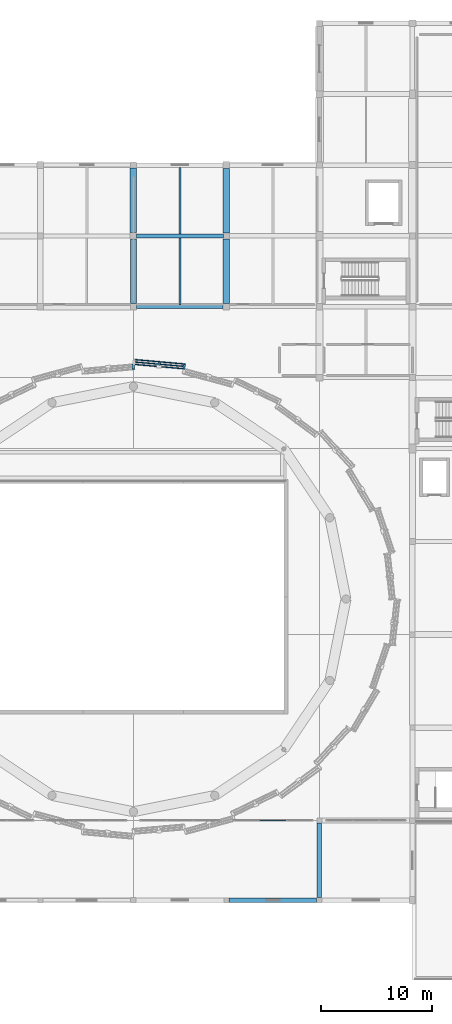
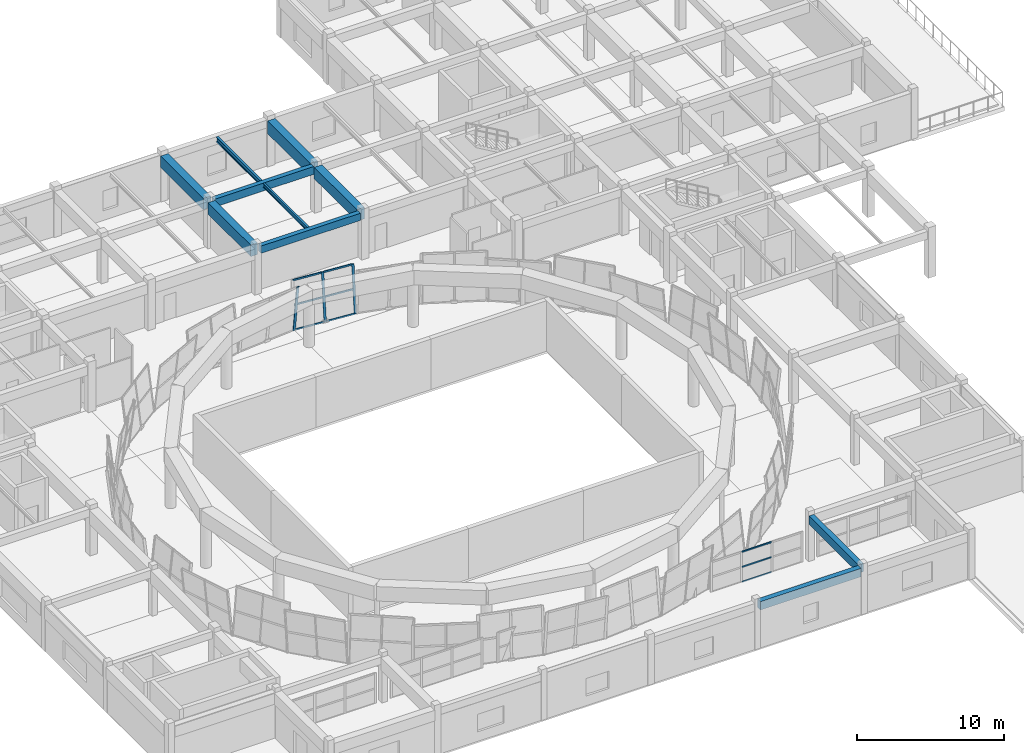
# One storey, part 17 of 40: 12 members, 10 beams, 3 elements without a shape of their own.
"""IFC4 building model written with IfcOpenShell, lengths in metres."""

from ifc_helpers import new_model, si_unit, direction, frame, origin, origin_2d, place, context, subcontext, project, spatial, rectangle, hollow_rectangle, i_section, extrude, material, material_profile, profile_set, type_object, element, aggregate, save


model = new_model("IFC4")

# Units and contexts
model_context = context("Model", 3, precision=1e-05, world=origin(), true_north=direction((0.0, 1.0)))
body_context = subcontext(model_context, "Body", "Model", "MODEL_VIEW")
ifc_project = project(units=[si_unit("LENGTHUNIT", "METRE"), si_unit("AREAUNIT", "SQUARE_METRE"), si_unit("VOLUMEUNIT", "CUBIC_METRE"), si_unit("PLANEANGLEUNIT", "RADIAN"), si_unit("MASSUNIT", "GRAM", prefix="KILO")], contexts=[model_context])

# Site, building, storey
site_placement = place(None, origin())
site = spatial("IfcSite", under=ifc_project, at=site_placement, CompositionType="ELEMENT")
building_placement = place(site_placement, origin())
building = spatial("IfcBuilding", under=site, at=building_placement, Name="Korsvaeld Concert Hall", CompositionType="ELEMENT")
storey_placement = place(building_placement, frame((0.0, 0.0, 13.199951171875)))
storey = spatial("IfcBuildingStorey", under=building, at=storey_placement, Name="L03", CompositionType="ELEMENT", Elevation=13.199951171875)

# Beams
ifc_material_1 = material(Name="Concrete C35/45", Category="concrete")
ifc_material_profile_1 = material_profile(ifc_material_1, rectangle(XDim=0.35009765625, YDim=0.60009765625, at=origin_2d()), Name="RC 350x600")
ifc_profile_set_1 = profile_set([ifc_material_profile_1], Name="Concrete C35/45")
beam_type_1 = type_object("IfcBeamType", Name="BM-RC-350x600", PredefinedType="T_BEAM", material=ifc_profile_set_1)
beam_1_placement = place(storey_placement, frame((84.27490234375, 89.60009765625, 3.5400390625), z_axis=(1.0, 0.0, 0.0), x_axis=(0.0, 1.0, 0.0)))
element("IfcBeam", 1, at=beam_1_placement, inside=storey, type_object=beam_type_1, Name="Primary girder 12-13/N L03", PredefinedType="T_BEAM", context=body_context, shape_type="SweptSolid", body=[
    extrude(rectangle(XDim=0.35009765625, YDim=0.60009765625, at=origin_2d()), origin(), (0.0, 0.0, 1.0), 7.8251953125),
])
ifc_material_profile_2 = material_profile(ifc_material_1, rectangle(XDim=0.35009765625, YDim=0.64990234375, at=origin_2d()), Name="RC 350x650")
ifc_profile_set_2 = profile_set([ifc_material_profile_2], Name="Concrete C35/45")
beam_type_2 = type_object("IfcBeamType", Name="BM-RC-350x650", PredefinedType="T_BEAM", material=ifc_profile_set_2)
beam_2_placement = place(storey_placement, frame((84.300048828125, 96.0, 3.51513671875), z_axis=(1.0, 0.0, 0.0), x_axis=(0.0, 1.0, 0.0)))
element("IfcBeam", 2, at=beam_2_placement, inside=storey, type_object=beam_type_2, Name="Primary girder 12-13/P L03", PredefinedType="T_BEAM", context=body_context, shape_type="SweptSolid", body=[
    extrude(rectangle(XDim=0.35009765625, YDim=0.64990234375, at=origin_2d()), origin(), (0.0, 0.0, 1.0), 7.824951171875),
])
ifc_material_profile_3 = material_profile(ifc_material_1, rectangle(XDim=0.39990234375, YDim=0.699951171875, at=origin_2d()), Name="RC 400x700")
ifc_profile_set_3 = profile_set([ifc_material_profile_3], Name="Concrete C35/45")
beam_type_3 = type_object("IfcBeamType", Name="BM-RC-400x700", PredefinedType="T_BEAM", material=ifc_profile_set_3)
beam_3_placement = place(storey_placement, frame((92.625, 36.0, 3.489990234375), z_axis=(1.0, 0.0, 0.0), x_axis=(0.0, 1.0, 0.0)))
element("IfcBeam", 3, at=beam_3_placement, inside=storey, type_object=beam_type_3, Name="Primary girder 13-14/F L03", PredefinedType="T_BEAM", context=body_context, shape_type="SweptSolid", body=[
    extrude(rectangle(XDim=0.39990234375, YDim=0.699951171875, at=origin_2d()), origin(), (0.0, 0.0, 1.0), 7.925048828125),
])
beam_4_placement = place(storey_placement, frame((100.800048828125, 36.25, 3.489990234375), z_axis=(0.0, 1.0, 0.0), x_axis=(-1.0, 0.0, 0.0)))
element("IfcBeam", 4, at=beam_4_placement, inside=storey, type_object=beam_type_3, Name="Primary girder 14/F-G L03", PredefinedType="T_BEAM", context=body_context, shape_type="SweptSolid", body=[
    extrude(rectangle(XDim=0.39990234375, YDim=0.699951171875, at=origin_2d()), origin(), (0.0, 0.0, 1.0), 6.72509765625),
])
ifc_material_2 = material(Name="Concrete C40/50", Category="concrete")
ifc_material_profile_4 = material_profile(ifc_material_2, rectangle(XDim=0.550048828125, YDim=0.949951171875, at=origin_2d()), Name="RC 550x950")
ifc_profile_set_4 = profile_set([ifc_material_profile_4], Name="Concrete C40/50")
beam_type_4 = type_object("IfcBeamType", Name="BM-RC-550x950", PredefinedType="T_BEAM", material=ifc_profile_set_4)
beam_5_placement = place(storey_placement, frame((84.0, 89.875, 3.364990234375), z_axis=(0.0, 1.0, 0.0), x_axis=(-1.0, 0.0, 0.0)))
element("IfcBeam", 5, at=beam_5_placement, inside=storey, type_object=beam_type_4, Name="Primary girder 12/N-P L03", PredefinedType="T_BEAM", context=body_context, shape_type="SweptSolid", body=[
    extrude(rectangle(XDim=0.550048828125, YDim=0.949951171875, at=origin_2d()), origin(), (0.0, 0.0, 1.0), 5.824951171875),
])
ifc_material_profile_5 = material_profile(ifc_material_2, rectangle(XDim=0.60009765625, YDim=1.050048828125, at=origin_2d()), Name="RC 600x1050")
ifc_profile_set_5 = profile_set([ifc_material_profile_5], Name="Concrete C40/50")
beam_type_5 = type_object("IfcBeamType", Name="BM-RC-600x1050", PredefinedType="T_BEAM", material=ifc_profile_set_5)
beam_6_placement = place(storey_placement, frame((92.39990234375, 96.27490234375, 3.31494140625), z_axis=(0.0, 1.0, 0.0), x_axis=(-1.0, 0.0, 0.0)))
element("IfcBeam", 6, at=beam_6_placement, inside=storey, type_object=beam_type_5, Name="Primary girder 13/P-Q L03", PredefinedType="T_BEAM", context=body_context, shape_type="SweptSolid", body=[
    extrude(rectangle(XDim=0.60009765625, YDim=1.050048828125, at=origin_2d()), origin(), (0.0, 0.0, 1.0), 5.8251953125),
])
ifc_material_profile_6 = material_profile(ifc_material_2, rectangle(XDim=0.60009765625, YDim=0.949951171875, at=origin_2d()), Name="RC 600x950")
ifc_profile_set_6 = profile_set([ifc_material_profile_6], Name="Concrete C40/50")
beam_type_6 = type_object("IfcBeamType", Name="BM-RC-600x950", PredefinedType="T_BEAM", material=ifc_profile_set_6)
beam_7_placement = place(storey_placement, frame((84.0, 96.300048828125, 3.364990234375), z_axis=(0.0, 1.0, 0.0), x_axis=(-1.0, 0.0, 0.0)))
element("IfcBeam", 7, at=beam_7_placement, inside=storey, type_object=beam_type_6, Name="Primary girder 12/P-Q L03", PredefinedType="T_BEAM", context=body_context, shape_type="SweptSolid", body=[
    extrude(rectangle(XDim=0.60009765625, YDim=0.949951171875, at=origin_2d()), origin(), (0.0, 0.0, 1.0), 5.824951171875),
])
beam_8_placement = place(storey_placement, frame((92.39990234375, 89.89990234375, 3.364990234375), z_axis=(0.0, 1.0, 0.0), x_axis=(-1.0, 0.0, 0.0)))
element("IfcBeam", 8, at=beam_8_placement, inside=storey, type_object=beam_type_6, Name="Primary girder 13/N-P L03", PredefinedType="T_BEAM", context=body_context, shape_type="SweptSolid", body=[
    extrude(rectangle(XDim=0.60009765625, YDim=0.949951171875, at=origin_2d()), origin(), (0.0, 0.0, 1.0), 5.8251953125),
])
ifc_material_3 = material(Name="Steel S355J2", Category="steel")
ifc_material_profile_7 = material_profile(ifc_material_3, i_section(OverallWidth=0.159912109375, OverallDepth=0.330078125, WebThickness=0.007568359375, FlangeThickness=0.011474609375, FilletRadius=0.01806640625, at=origin_2d()), Name="IPE 330")
ifc_profile_set_7 = profile_set([ifc_material_profile_7], Name="Steel S355J2")
beam_type_7 = type_object("IfcBeamType", Name="BM-STL-IPE330", PredefinedType="BEAM", material=ifc_profile_set_7)
beam_9_placement = place(storey_placement, frame((88.199951171875, 89.77490234375, 3.675048828125), z_axis=(0.0, 1.0, 0.0), x_axis=(-1.0, 0.0, 0.0)))
element("IfcBeam", 9, at=beam_9_placement, inside=storey, type_object=beam_type_7, Name="Secondary steel floor beam 12-13/N L03", PredefinedType="BEAM", context=body_context, shape_type="SweptSolid", body=[
    extrude(i_section(OverallWidth=0.159912109375, OverallDepth=0.330078125, WebThickness=0.007568359375, FlangeThickness=0.011474609375, FilletRadius=0.01806640625, at=origin_2d()), origin(), (0.0, 0.0, 1.0), 6.050048828125),
])
ifc_material_profile_8 = material_profile(ifc_material_3, i_section(OverallWidth=0.179931640625, OverallDepth=0.39990234375, WebThickness=0.008544921875, FlangeThickness=0.013427734375, FilletRadius=0.02099609375, at=origin_2d()), Name="IPE 400")
ifc_profile_set_8 = profile_set([ifc_material_profile_8], Name="Steel S355J2")
beam_type_8 = type_object("IfcBeamType", Name="BM-STL-IPE400", PredefinedType="BEAM", material=ifc_profile_set_8)
beam_10_placement = place(storey_placement, frame((88.199951171875, 96.175048828125, 3.64013671875), z_axis=(0.0, 1.0, 0.0), x_axis=(-1.0, 0.0, 0.0)))
element("IfcBeam", 10, at=beam_10_placement, inside=storey, type_object=beam_type_8, Name="Secondary steel floor beam 12-13/P L03", PredefinedType="BEAM", context=body_context, shape_type="SweptSolid", body=[
    extrude(i_section(OverallWidth=0.179931640625, OverallDepth=0.39990234375, WebThickness=0.008544921875, FlangeThickness=0.013427734375, FilletRadius=0.02099609375, at=origin_2d()), origin(), (0.0, 0.0, 1.0), 6.02490234375),
])

# Curtain wall, members
ifc_material_4 = material(Name="Anodised bronze and ceramic-fritted safety glass", Category="glass")
curtain_wall_type_1 = type_object("IfcCurtainWallType", Name="CW-TYPE-08", PredefinedType="USERDEFINED", material=ifc_material_4)
curtain_wall_1_placement = place(storey_placement, origin())
curtain_wall_1 = element("IfcCurtainWall", 11, at=curtain_wall_1_placement, inside=storey, type_object=curtain_wall_type_1, Name="Crystal curtain-wall facet L03 F08", ObjectType="CURTAIN WALL", PredefinedType="USERDEFINED")
ifc_material_5 = material(Name="Anodised architectural bronze aluminium", Category="aluminium")
ifc_material_profile_9 = material_profile(ifc_material_5, hollow_rectangle(XDim=0.074951171875, YDim=0.179931640625, WallThickness=0.0048828125, at=origin_2d()), Name="CWM 180x75x5")
ifc_profile_set_9 = profile_set([ifc_material_profile_9], Name="Anodised architectural bronze aluminium")
member_type_1 = type_object("IfcMemberType", Name="CWM-BRONZE-180x75", PredefinedType="MULLION", material=ifc_profile_set_9)
member_1_placement = place(storey_placement, frame((88.566650390625, 83.995849609375, 0.0), z_axis=(0.012378224246, 0.112529311329, 0.993571302754), x_axis=(0.195828222386, 0.974132849792, -0.11276745219)))
member_1 = element("IfcMember", 12, at=member_1_placement, type_object=member_type_1, Name="CW-CRYS-L03-F08 crystal mullion 1", PredefinedType="MULLION", context=body_context, shape_type="SweptSolid", body=[
    extrude(hollow_rectangle(XDim=0.074951171875, YDim=0.179931640625, WallThickness=0.0048828125, at=origin_2d()), origin(), (0.0, 0.0, 1.0), 3.9052734375),
])
member_2_placement = place(storey_placement, frame((86.302001953125, 84.1962890625, 0.0), z_axis=(0.012378224246, 0.112529311329, 0.993571302754), x_axis=(0.195828222386, 0.974132849792, -0.11276745219)))
member_2 = element("IfcMember", 13, at=member_2_placement, type_object=member_type_1, Name="CW-CRYS-L03-F08 crystal mullion 2", PredefinedType="MULLION", context=body_context, shape_type="SweptSolid", body=[
    extrude(hollow_rectangle(XDim=0.074951171875, YDim=0.179931640625, WallThickness=0.0048828125, at=origin_2d()), origin(), (0.0, 0.0, 1.0), 3.9052734375),
])

# Curtain wall, member
curtain_wall_type_2 = type_object("IfcCurtainWallType", Name="CW-TYPE-01", PredefinedType="USERDEFINED", material=ifc_material_4)
curtain_wall_2_placement = place(storey_placement, origin())
curtain_wall_2 = element("IfcCurtainWall", 14, at=curtain_wall_2_placement, inside=storey, type_object=curtain_wall_type_2, Name="Crystal curtain-wall facet L03 F09", ObjectType="CURTAIN WALL", PredefinedType="USERDEFINED")
ifc_material_profile_10 = material_profile(ifc_material_5, hollow_rectangle(XDim=0.074951171875, YDim=0.219970703125, WallThickness=0.006103515625, at=origin_2d()), Name="CWM 220x75x6")
ifc_profile_set_10 = profile_set([ifc_material_profile_10], Name="Anodised architectural bronze aluminium")
member_type_2 = type_object("IfcMemberType", Name="CWM-BRONZE-220x75", PredefinedType="MULLION", material=ifc_profile_set_10)
member_3_placement = place(storey_placement, frame((83.962646484375, 84.396728515625, 0.0), z_axis=(0.012315717468, -0.112529398189, 0.993572069679), x_axis=(0.195293528918, -0.974240961692, -0.112760747263)))
member_3 = element("IfcMember", 15, at=member_3_placement, type_object=member_type_2, Name="CW-CRYS-L03-F09 crystal mullion 1", PredefinedType="MULLION", context=body_context, shape_type="SweptSolid", body=[
    extrude(hollow_rectangle(XDim=0.074951171875, YDim=0.219970703125, WallThickness=0.006103515625, at=origin_2d()), origin(), (0.0, 0.0, 1.0), 3.9052734375),
])
aggregate(curtain_wall_2, [member_3])

# Curtain wall, members
curtain_wall_type_3 = type_object("IfcCurtainWallType", Name="CW-TYPE-09", PredefinedType="USERDEFINED", material=ifc_material_4)
curtain_wall_3_placement = place(storey_placement, origin())
curtain_wall_3 = element("IfcCurtainWall", 16, at=curtain_wall_3_placement, inside=storey, type_object=curtain_wall_type_3, Name="Glazed foyer acoustic screen L03-41", ObjectType="CURTAIN WALL", PredefinedType="USERDEFINED")
ifc_material_profile_11 = material_profile(ifc_material_5, hollow_rectangle(XDim=0.06005859375, YDim=0.1201171875, WallThickness=0.00390625, at=origin_2d()), Name="CWT 120x60x4")
ifc_profile_set_11 = profile_set([ifc_material_profile_11], Name="Anodised architectural bronze aluminium")
member_type_3 = type_object("IfcMemberType", Name="CWT-ALUM-120x60", PredefinedType="USERDEFINED", material=ifc_profile_set_11)
member_4_placement = place(storey_placement, frame((95.429931640625, 43.199951171875, 0.030029296875), z_axis=(1.0, 0.0, 0.0), x_axis=(0.0, 1.0, 0.0)))
member_4 = element("IfcMember", 17, at=member_4_placement, type_object=member_type_3, Name="CW-09 transom 2.1", ObjectType="TRANSOM", PredefinedType="USERDEFINED", context=body_context, shape_type="SweptSolid", body=[
    extrude(hollow_rectangle(XDim=0.06005859375, YDim=0.1201171875, WallThickness=0.00390625, at=origin_2d()), origin(), (0.0, 0.0, 1.0), 2.340087890625),
])
member_5_placement = place(storey_placement, frame((95.429931640625, 43.199951171875, 1.275146484375), z_axis=(1.0, 0.0, 0.0), x_axis=(0.0, 1.0, 0.0)))
member_5 = element("IfcMember", 18, at=member_5_placement, type_object=member_type_3, Name="CW-09 transom 2.2", ObjectType="TRANSOM", PredefinedType="USERDEFINED", context=body_context, shape_type="SweptSolid", body=[
    extrude(hollow_rectangle(XDim=0.06005859375, YDim=0.1201171875, WallThickness=0.00390625, at=origin_2d()), origin(), (0.0, 0.0, 1.0), 2.340087890625),
])
member_6_placement = place(storey_placement, frame((95.429931640625, 43.199951171875, 2.52001953125), z_axis=(1.0, 0.0, 0.0), x_axis=(0.0, 1.0, 0.0)))
member_6 = element("IfcMember", 19, at=member_6_placement, type_object=member_type_3, Name="CW-09 transom 2.3", ObjectType="TRANSOM", PredefinedType="USERDEFINED", context=body_context, shape_type="SweptSolid", body=[
    extrude(hollow_rectangle(XDim=0.06005859375, YDim=0.1201171875, WallThickness=0.00390625, at=origin_2d()), origin(), (0.0, 0.0, 1.0), 2.340087890625),
])
aggregate(curtain_wall_3, [member_4, member_5, member_6])

# Member
ifc_material_profile_12 = material_profile(ifc_material_5, hollow_rectangle(XDim=0.06005859375, YDim=0.139892578125, WallThickness=0.00390625, at=origin_2d()), Name="CWT 140x60x4")
ifc_profile_set_12 = profile_set([ifc_material_profile_12], Name="Anodised architectural bronze aluminium")
member_type_4 = type_object("IfcMemberType", Name="CWT-BRONZE-140x60", PredefinedType="USERDEFINED", material=ifc_profile_set_12)
member_7_placement = place(storey_placement, frame((88.52978515625, 84.002685546875, 0.030029296875), z_axis=(-0.996114965607, 0.088062337539, 0.0), x_axis=(-0.088062337539, -0.996114965607, 0.0)))
member_7 = element("IfcMember", 20, at=member_7_placement, type_object=member_type_4, Name="CW-CRYS-L03-F08 crystal transom 1.1", ObjectType="TRANSOM", PredefinedType="USERDEFINED", context=body_context, shape_type="SweptSolid", body=[
    extrude(hollow_rectangle(XDim=0.06005859375, YDim=0.139892578125, WallThickness=0.00390625, at=origin_2d()), origin(), (0.0, 0.0, 1.0), 2.198486328125),
])

member_8_placement = place(storey_placement, frame((88.553466796875, 84.218994140625, 1.93994140625), z_axis=(-0.996114965607, 0.088062337539, 0.0), x_axis=(-0.088062337539, -0.996114965607, 0.0)))
member_8 = element("IfcMember", 21, at=member_8_placement, type_object=member_type_4, Name="CW-CRYS-L03-F08 crystal transom 1.2", ObjectType="TRANSOM", PredefinedType="USERDEFINED", context=body_context, shape_type="SweptSolid", body=[
    extrude(hollow_rectangle(XDim=0.06005859375, YDim=0.139892578125, WallThickness=0.00390625, at=origin_2d()), origin(), (0.0, 0.0, 1.0), 2.198486328125),
])

member_9_placement = place(storey_placement, frame((88.5771484375, 84.435302734375, 3.85009765625), z_axis=(-0.996105218313, 0.088172524341, 0.0), x_axis=(-0.088172524341, -0.996105218313, 0.0)))
member_9 = element("IfcMember", 22, at=member_9_placement, type_object=member_type_4, Name="CW-CRYS-L03-F08 crystal transom 1.3", ObjectType="TRANSOM", PredefinedType="USERDEFINED", context=body_context, shape_type="SweptSolid", body=[
    extrude(hollow_rectangle(XDim=0.06005859375, YDim=0.139892578125, WallThickness=0.00390625, at=origin_2d()), origin(), (0.0, 0.0, 1.0), 2.198486328125),
])

member_10_placement = place(storey_placement, frame((86.26513671875, 84.202880859375, 0.030029296875), z_axis=(-0.996105218313, 0.088172524341, 0.0), x_axis=(-0.088172524341, -0.996105218313, 0.0)))
member_10 = element("IfcMember", 23, at=member_10_placement, type_object=member_type_4, Name="CW-CRYS-L03-F08 crystal transom 2.1", ObjectType="TRANSOM", PredefinedType="USERDEFINED", context=body_context, shape_type="SweptSolid", body=[
    extrude(hollow_rectangle(XDim=0.06005859375, YDim=0.139892578125, WallThickness=0.00390625, at=origin_2d()), origin(), (0.0, 0.0, 1.0), 2.198486328125),
])

member_11_placement = place(storey_placement, frame((86.288818359375, 84.41943359375, 1.93994140625), z_axis=(-0.996114965607, 0.088062337539, 0.0), x_axis=(-0.088062337539, -0.996114965607, 0.0)))
member_11 = element("IfcMember", 24, at=member_11_placement, type_object=member_type_4, Name="CW-CRYS-L03-F08 crystal transom 2.2", ObjectType="TRANSOM", PredefinedType="USERDEFINED", context=body_context, shape_type="SweptSolid", body=[
    extrude(hollow_rectangle(XDim=0.06005859375, YDim=0.139892578125, WallThickness=0.00390625, at=origin_2d()), origin(), (0.0, 0.0, 1.0), 2.198486328125),
])

member_12_placement = place(storey_placement, frame((86.3125, 84.6357421875, 3.85009765625), z_axis=(-0.996114965607, 0.088062337539, 0.0), x_axis=(-0.088062337539, -0.996114965607, 0.0)))
member_12 = element("IfcMember", 25, at=member_12_placement, type_object=member_type_4, Name="CW-CRYS-L03-F08 crystal transom 2.3", ObjectType="TRANSOM", PredefinedType="USERDEFINED", context=body_context, shape_type="SweptSolid", body=[
    extrude(hollow_rectangle(XDim=0.06005859375, YDim=0.139892578125, WallThickness=0.00390625, at=origin_2d()), origin(), (0.0, 0.0, 1.0), 2.198486328125),
])

aggregate(curtain_wall_1, [member_1, member_2, member_7, member_8, member_9, member_10, member_11, member_12])

save(model, "model.ifc")
